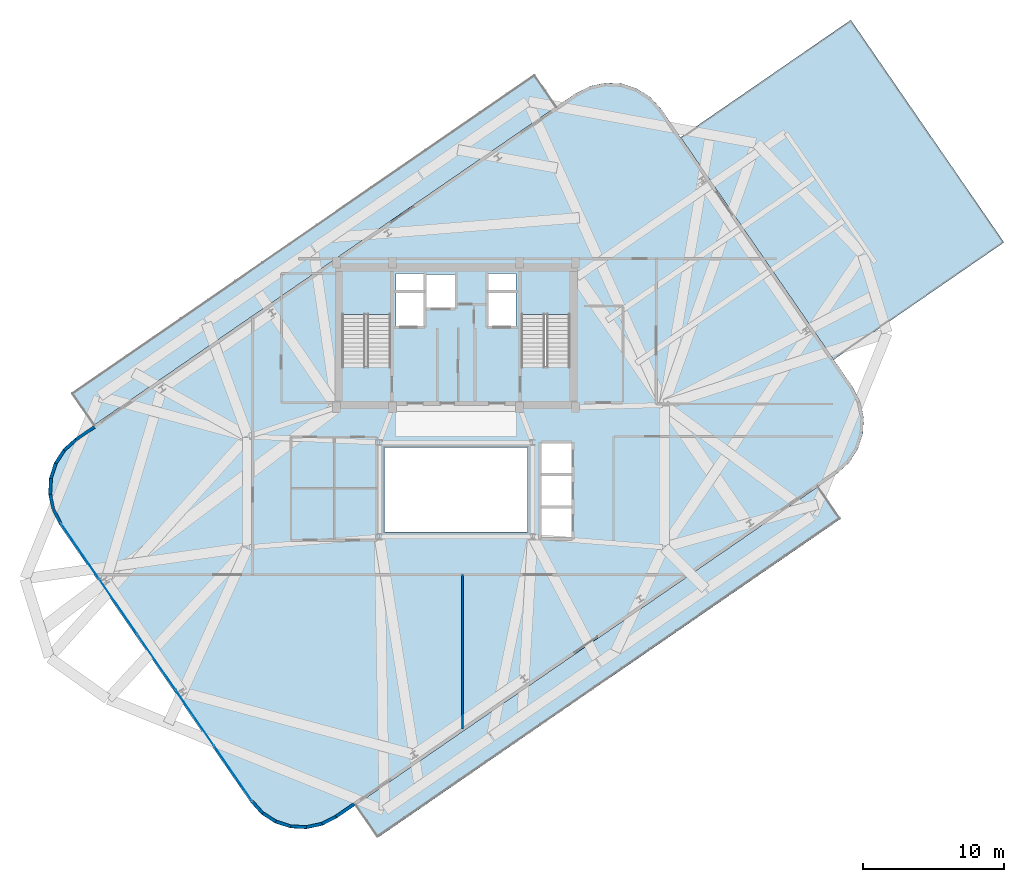
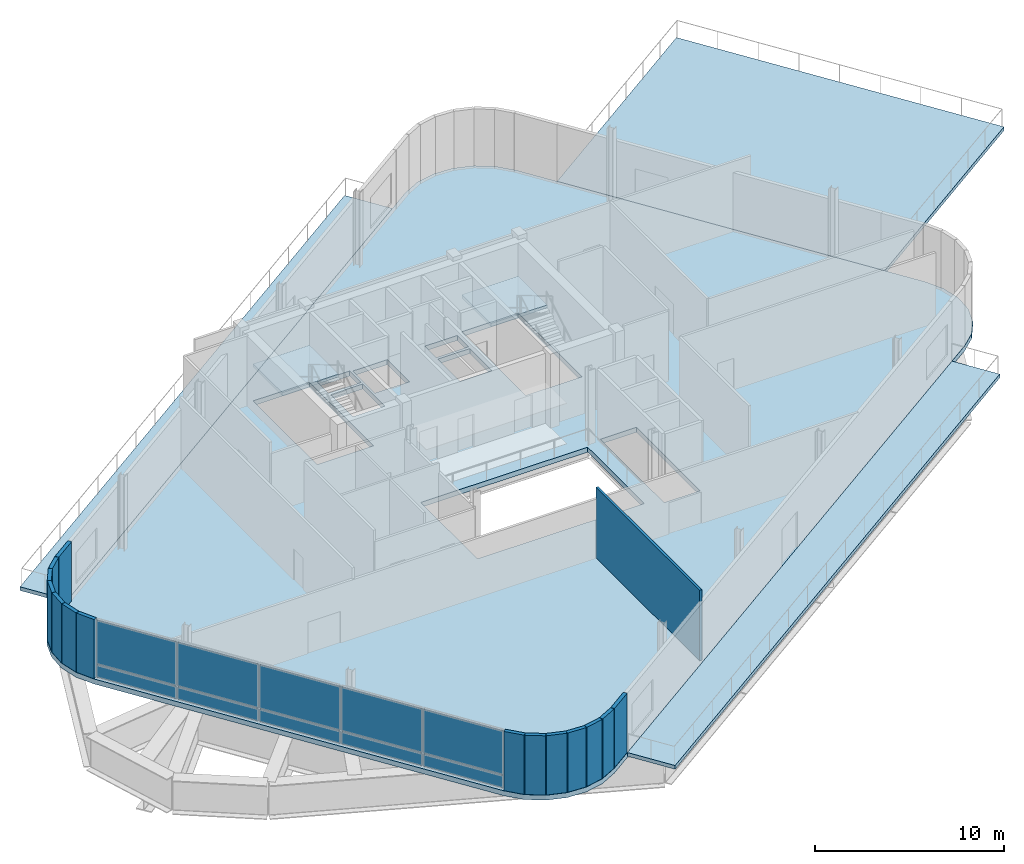
# One storey, part 10 of 18: 15 walls, 10 plates, 6 slabs, 3 elements without a shape of their own.
"""IFC4 building model written with IfcOpenShell, lengths in metres."""

from ifc_helpers import new_model, si_unit, direction, frame, frame_2d, origin, origin_2d, place, context, subcontext, project, spatial, polyline, rectangle, outline, extrude, source, transform, mapped, material, layer, layer_set, type_object, element, aggregate, save


model = new_model("IFC4")

# Units and contexts
model_context = context("Model", 3, precision=1e-05, world=origin(), true_north=direction((0.0, 1.0)))
body_context = subcontext(model_context, "Body", "Model", "MODEL_VIEW")
ifc_project = project(units=[si_unit("LENGTHUNIT", "METRE"), si_unit("AREAUNIT", "SQUARE_METRE"), si_unit("VOLUMEUNIT", "CUBIC_METRE"), si_unit("PLANEANGLEUNIT", "RADIAN"), si_unit("MASSUNIT", "GRAM", prefix="KILO")], contexts=[model_context])

# Site, building, storey
site_placement = place(None, origin())
site = spatial("IfcSite", under=ifc_project, at=site_placement, CompositionType="ELEMENT")
building_placement = place(site_placement, origin())
building = spatial("IfcBuilding", under=site, at=building_placement, Name="Varnelok Gate Tower", CompositionType="ELEMENT")
storey_placement = place(building_placement, frame((0.0, 0.0, 296.300048828125)))
storey = spatial("IfcBuildingStorey", under=building, at=storey_placement, Name="L76", CompositionType="ELEMENT", Elevation=296.300048828125)

# Stair, slab
ifc_material_1 = material(Name="Concrete C50/60", Category="concrete")
stair_type = type_object("IfcStairType", Name="STR-CORE-1650", PredefinedType="HALF_TURN_STAIR", material=ifc_material_1)
stair_1_placement = place(storey_placement, origin())
stair_1 = element("IfcStair", 1, at=stair_1_placement, inside=storey, type_object=stair_type, Name="L76 Exit Stair ST-1", PredefinedType="HALF_TURN_STAIR")
ifc_material_2 = material(Name="Concrete C45/55", Category="concrete")
ifc_layer_1 = layer(ifc_material_2, 0.199951171875)
ifc_layer_set_1 = layer_set([ifc_layer_1], Name="Concrete C45/55")
slab_type_1 = type_object("IfcSlabType", Name="SLB-LAND-200", PredefinedType="LANDING", material=ifc_layer_set_1)
slab_1_placement = place(storey_placement, frame((0.0, 0.0, 2.199951171875)))
slab_1 = element("IfcSlab", 2, at=slab_1_placement, type_object=slab_type_1, Name="ST-1 landing 1", PredefinedType="LANDING", context=body_context, shape_type="SweptSolid", body=[
    extrude(outline(polyline([(34.550048828125, 35.3701171875), (34.550048828125, 38.449951171875), (31.10009765625, 38.449951171875), (31.10009765625, 35.3701171875), (34.550048828125, 35.3701171875)])), origin(), (0.0, 0.0, 1.0), 0.199951171875),
])
aggregate(stair_1, [slab_1])

stair_2_placement = place(storey_placement, origin())
stair_2 = element("IfcStair", 3, at=stair_2_placement, inside=storey, type_object=stair_type, Name="L76 Exit Stair ST-2", PredefinedType="HALF_TURN_STAIR")
slab_2_placement = place(storey_placement, frame((0.0, 0.0, 2.199951171875)))
slab_2 = element("IfcSlab", 4, at=slab_2_placement, type_object=slab_type_1, Name="ST-2 landing 1", PredefinedType="LANDING", context=body_context, shape_type="SweptSolid", body=[
    extrude(outline(polyline([(47.300048828125, 35.3701171875), (47.300048828125, 38.449951171875), (43.85009765625, 38.449951171875), (43.85009765625, 35.3701171875), (47.300048828125, 35.3701171875)])), origin(), (0.0, 0.0, 1.0), 0.199951171875),
])
aggregate(stair_2, [slab_2])

# Slabs
ifc_layer_2 = layer(ifc_material_1, 0.239990234375)
ifc_layer_set_2 = layer_set([ifc_layer_2], Name="Concrete C50/60")
slab_type_2 = type_object("IfcSlabType", Name="SLB-LOOK-240", PredefinedType="FLOOR", material=ifc_layer_set_2)
slab_3_placement = place(storey_placement, frame((0.0, 0.0, -0.239990234375)))
element("IfcSlab", 5, at=slab_3_placement, inside=storey, type_object=slab_type_2, Name="L76 South Open Observation Lookout Terrace", PredefinedType="FLOOR", context=body_context, shape_type="SweptSolid", body=[
    extrude(outline(polyline([(33.620849609375, -1.857177734375), (66.562255859375, 20.83349609375), (64.973876953125, 23.139404296875), (32.03271484375, 0.44873046875), (33.620849609375, -1.857177734375)])), origin(), (0.0, 0.0, 1.0), 0.239990234375),
])
slab_4_placement = place(storey_placement, frame((0.0, 0.0, -0.239990234375)))
element("IfcSlab", 6, at=slab_4_placement, inside=storey, type_object=slab_type_2, Name="L76 North Open Observation Lookout Terrace", PredefinedType="FLOOR", context=body_context, shape_type="SweptSolid", body=[
    extrude(outline(polyline([(13.426025390625, 27.460693359375), (46.367431640625, 50.1513671875), (44.779052734375, 52.457275390625), (11.837890625, 29.766357421875), (13.426025390625, 27.460693359375)])), origin(), (0.0, 0.0, 1.0), 0.239990234375),
])
slab_5_placement = place(storey_placement, frame((0.0, 0.0, -0.239990234375)))
element("IfcSlab", 7, at=slab_5_placement, inside=storey, type_object=slab_type_2, Name="L76 East Open Observation Lookout Terrace", PredefinedType="FLOOR", context=body_context, shape_type="SweptSolid", body=[
    extrude(outline(polyline([(66.0576171875, 32.14306640625), (78.16357421875, 40.48193359375), (67.27197265625, 56.293701171875), (55.166015625, 47.954833984375), (66.0576171875, 32.14306640625)])), origin(), (0.0, 0.0, 1.0), 0.239990234375),
])
ifc_material_3 = material(Name="Concrete C60/75", Category="concrete")
ifc_layer_3 = layer(ifc_material_3, 0.320068359375)
ifc_layer_set_3 = layer_set([ifc_layer_3], Name="Concrete C60/75")
slab_type_3 = type_object("IfcSlabType", Name="SLB-TRN-320", PredefinedType="FLOOR", material=ifc_layer_set_3)
slab_6_placement = place(storey_placement, frame((0.0, 0.0, -0.320068359375)))
element("IfcSlab", 8, at=slab_6_placement, inside=storey, type_object=slab_type_3, Name="L76 Structural Floor Slab", PredefinedType="FLOOR", context=body_context, shape_type="SweptSolid", body=[
    extrude(outline(polyline([(24.595458984375, 0.668701171875), (25.36474609375, -0.18408203125), (26.328857421875, -0.808837890625), (27.421630859375, -1.16259765625), (28.568603515625, -1.221435546875), (29.69189453125, -0.9814453125), (30.71484375, -0.458984375), (66.29150390625, 24.047119140625), (67.144287109375, 24.81640625), (67.768798828125, 25.780517578125), (68.122802734375, 26.873291015625), (68.181640625, 28.0205078125), (67.941650390625, 29.143798828125), (67.419189453125, 30.16650390625), (53.8046875, 49.931396484375), (53.03515625, 50.7841796875), (52.0712890625, 51.40869140625), (50.978515625, 51.7626953125), (49.831298828125, 51.821533203125), (48.7080078125, 51.58154296875), (47.68505859375, 51.058837890625), (12.1083984375, 26.552978515625), (11.255615234375, 25.783447265625), (10.631103515625, 24.819580078125), (10.27734375, 23.726806640625), (10.218505859375, 22.57958984375), (10.45849609375, 21.456298828125), (10.98095703125, 20.433349609375), (24.595458984375, 0.668701171875)]), holes=[polyline([(34.550048828125, 31.679931640625), (34.550048828125, 38.449951171875), (31.10009765625, 38.449951171875), (31.10009765625, 31.679931640625), (34.550048828125, 31.679931640625)]), polyline([(47.300048828125, 31.679931640625), (47.300048828125, 38.449951171875), (43.85009765625, 38.449951171875), (43.85009765625, 31.679931640625), (47.300048828125, 31.679931640625)]), polyline([(34.949951171875, 34.550048828125), (36.89990234375, 34.550048828125), (36.89990234375, 36.89990234375), (34.949951171875, 36.89990234375), (34.949951171875, 34.550048828125)]), polyline([(41.5, 34.550048828125), (43.449951171875, 34.550048828125), (43.449951171875, 36.89990234375), (41.5, 36.89990234375), (41.5, 34.550048828125)]), polyline([(37.050048828125, 35.85009765625), (39.14990234375, 35.85009765625), (39.14990234375, 38.199951171875), (37.050048828125, 38.199951171875), (37.050048828125, 35.85009765625)]), polyline([(45.25, 19.449951171875), (47.449951171875, 19.449951171875), (47.449951171875, 26.199951171875), (45.25, 26.199951171875), (45.25, 19.449951171875)]), polyline([(34.919921875, 37.080078125), (36.89990234375, 37.080078125), (36.89990234375, 38.280029296875), (34.919921875, 38.280029296875), (34.919921875, 37.080078125)]), polyline([(41.5, 37.080078125), (43.47998046875, 37.080078125), (43.47998046875, 38.280029296875), (41.5, 38.280029296875), (41.5, 37.080078125)]), polyline([(34.10009765625, 19.89990234375), (44.300048828125, 19.89990234375), (44.300048828125, 25.89990234375), (34.10009765625, 25.89990234375), (34.10009765625, 19.89990234375)])]), origin(), (0.0, 0.0, 1.0), 0.320068359375),
])

# Curtain wall, plates
ifc_material_4 = material(Name="Anodized Aluminum Alloy 6063-T6", Category="aluminium")
ifc_layer_4 = layer(ifc_material_4, 0.179931640625)
ifc_layer_set_4 = layer_set([ifc_layer_4], Name="Anodized Aluminum Alloy 6063-T6")
curtain_wall_type = type_object("IfcCurtainWallType", Name="CW6-CROWN-LOOKOUT", PredefinedType="USERDEFINED", material=ifc_layer_set_4)
curtain_wall_placement = place(storey_placement, origin())
curtain_wall = element("IfcCurtainWall", 9, at=curtain_wall_placement, inside=storey, type_object=curtain_wall_type, Name="L76 West End Vision Curtain Wall", ObjectType="STRUCTURAL GLAZING", PredefinedType="USERDEFINED")
ifc_material_5 = material(Name="Low-E Laminated Double Glazing IGU", Category="glass")
ifc_layer_5 = layer(ifc_material_5, 0.035888671875)
ifc_layer_set_5 = layer_set([ifc_layer_5], Name="Low-E Laminated Double Glazing IGU")
plate_type = type_object("IfcPlateType", Name="CW-PNL-IGU36", PredefinedType="CURTAIN_PANEL", material=ifc_layer_set_5)
shared_shape_1 = source(origin(), body_context, "Body", "SweptSolid", [
    extrude(rectangle(XDim=4.6875, YDim=0.035888671875, at=origin_2d()), origin(), (0.0, 0.0, 1.0), 0.78759765625),
])
plate_1_placement = place(storey_placement, frame((23.338623046875, 2.739990234375, 0.074951171875), z_axis=(0.0, 0.0, 1.0), x_axis=(-0.567269883308, 0.823531954141, 0.0)))
plate_1 = element("IfcPlate", 10, at=plate_1_placement, type_object=plate_type, Name="CW6 panel 1.1", PredefinedType="CURTAIN_PANEL", context=body_context, shape_type="MappedRepresentation", body=[
    mapped(shared_shape_1, transform((0.0, 0.0, 0.0), scale=1.0)),
])
plate_2_placement = place(storey_placement, frame((12.46826171875, 18.52099609375, 0.074951171875), z_axis=(0.0, 0.0, 1.0), x_axis=(-0.567269883308, 0.823531954141, 0.0)))
plate_2 = element("IfcPlate", 11, at=plate_2_placement, type_object=plate_type, Name="CW6 panel 5.1", PredefinedType="CURTAIN_PANEL", context=body_context, shape_type="MappedRepresentation", body=[
    mapped(shared_shape_1, transform((0.0, 0.0, 0.0), scale=1.0)),
])
shared_shape_2 = source(origin(), body_context, "Body", "SweptSolid", [
    extrude(rectangle(XDim=4.6875, YDim=0.035888671875, at=origin_2d()), origin(), (0.0, 0.0, 1.0), 2.8173828125),
])
plate_3_placement = place(storey_placement, frame((23.338623046875, 2.739990234375, 0.9375), z_axis=(0.0, 0.0, 1.0), x_axis=(-0.567269883308, 0.823531954141, 0.0)))
plate_3 = element("IfcPlate", 12, at=plate_3_placement, type_object=plate_type, Name="CW6 panel 1.2", PredefinedType="CURTAIN_PANEL", context=body_context, shape_type="MappedRepresentation", body=[
    mapped(shared_shape_2, transform((0.0, 0.0, 0.0), scale=1.0)),
])
plate_4_placement = place(storey_placement, frame((12.46826171875, 18.52099609375, 0.9375), z_axis=(0.0, 0.0, 1.0), x_axis=(-0.567269883308, 0.823531954141, 0.0)))
plate_4 = element("IfcPlate", 13, at=plate_4_placement, type_object=plate_type, Name="CW6 panel 5.2", PredefinedType="CURTAIN_PANEL", context=body_context, shape_type="MappedRepresentation", body=[
    mapped(shared_shape_2, transform((0.0, 0.0, 0.0), scale=1.0)),
])
shared_shape_3 = source(origin(), body_context, "Body", "SweptSolid", [
    extrude(rectangle(XDim=4.72509765625, YDim=0.035888671875, at=origin_2d()), origin(), (0.0, 0.0, 1.0), 0.78759765625),
])
plate_5_placement = place(storey_placement, frame((20.62646484375, 6.677490234375, 0.074951171875), z_axis=(0.0, 0.0, 1.0), x_axis=(-0.567269883308, 0.823531954141, 0.0)))
plate_5 = element("IfcPlate", 14, at=plate_5_placement, type_object=plate_type, Name="CW6 panel 2.1", PredefinedType="CURTAIN_PANEL", context=body_context, shape_type="MappedRepresentation", body=[
    mapped(shared_shape_3, transform((0.0, 0.0, 0.0), scale=1.0)),
])
plate_6_placement = place(storey_placement, frame((17.903564453125, 10.63037109375, 0.074951171875), z_axis=(0.0, 0.0, 1.0), x_axis=(-0.567269883308, 0.823531954141, 0.0)))
plate_6 = element("IfcPlate", 15, at=plate_6_placement, type_object=plate_type, Name="CW6 panel 3.1", PredefinedType="CURTAIN_PANEL", context=body_context, shape_type="MappedRepresentation", body=[
    mapped(shared_shape_3, transform((0.0, 0.0, 0.0), scale=1.0)),
])
plate_7_placement = place(storey_placement, frame((15.1806640625, 14.583251953125, 0.074951171875), z_axis=(0.0, 0.0, 1.0), x_axis=(-0.567269883308, 0.823531954141, 0.0)))
plate_7 = element("IfcPlate", 16, at=plate_7_placement, type_object=plate_type, Name="CW6 panel 4.1", PredefinedType="CURTAIN_PANEL", context=body_context, shape_type="MappedRepresentation", body=[
    mapped(shared_shape_3, transform((0.0, 0.0, 0.0), scale=1.0)),
])
shared_shape_4 = source(origin(), body_context, "Body", "SweptSolid", [
    extrude(rectangle(XDim=4.72509765625, YDim=0.035888671875, at=origin_2d()), origin(), (0.0, 0.0, 1.0), 2.8173828125),
])
plate_8_placement = place(storey_placement, frame((20.62646484375, 6.677490234375, 0.9375), z_axis=(0.0, 0.0, 1.0), x_axis=(-0.567269883308, 0.823531954141, 0.0)))
plate_8 = element("IfcPlate", 17, at=plate_8_placement, type_object=plate_type, Name="CW6 panel 2.2", PredefinedType="CURTAIN_PANEL", context=body_context, shape_type="MappedRepresentation", body=[
    mapped(shared_shape_4, transform((0.0, 0.0, 0.0), scale=1.0)),
])
plate_9_placement = place(storey_placement, frame((17.903564453125, 10.63037109375, 0.9375), z_axis=(0.0, 0.0, 1.0), x_axis=(-0.567269883308, 0.823531954141, 0.0)))
plate_9 = element("IfcPlate", 18, at=plate_9_placement, type_object=plate_type, Name="CW6 panel 3.2", PredefinedType="CURTAIN_PANEL", context=body_context, shape_type="MappedRepresentation", body=[
    mapped(shared_shape_4, transform((0.0, 0.0, 0.0), scale=1.0)),
])
plate_10_placement = place(storey_placement, frame((15.1806640625, 14.583251953125, 0.9375), z_axis=(0.0, 0.0, 1.0), x_axis=(-0.567269883308, 0.823531954141, 0.0)))
plate_10 = element("IfcPlate", 19, at=plate_10_placement, type_object=plate_type, Name="CW6 panel 4.2", PredefinedType="CURTAIN_PANEL", context=body_context, shape_type="MappedRepresentation", body=[
    mapped(shared_shape_4, transform((0.0, 0.0, 0.0), scale=1.0)),
])
aggregate(curtain_wall, [plate_1, plate_3, plate_5, plate_8, plate_6, plate_9, plate_7, plate_10, plate_2, plate_4])

# Walls
ifc_layer_6 = layer(ifc_material_2, 0.219970703125)
ifc_layer_set_6 = layer_set([ifc_layer_6], Name="Concrete C45/55")
wall_type_1 = type_object("IfcWallType", Name="EW-BALC-220", PredefinedType="SOLIDWALL", material=ifc_layer_set_6)
wall_1_placement = place(storey_placement, frame((24.695068359375, 0.7373046875, 0.0), z_axis=(0.0, 0.0, 1.0), x_axis=(0.66989400442, -0.742456748129, 0.0)))
element("IfcWall", 20, at=wall_1_placement, inside=storey, type_object=wall_type_1, Name="L76 Perimeter Facade Closure Wall 1", PredefinedType="SOLIDWALL", context=body_context, shape_type="SweptSolid", body=[
    extrude(rectangle(XDim=1.116943359375, YDim=0.219970703125, at=frame_2d((0.55859375, 0.0))), origin(), (0.0, 0.0, 1.0), 3.829833984375),
])
wall_2_placement = place(storey_placement, frame((25.46435546875, -0.105712890625, 0.0), z_axis=(0.0, 0.0, 1.0), x_axis=(0.839270122405, -0.543714687717, 0.0)))
element("IfcWall", 21, at=wall_2_placement, inside=storey, type_object=wall_type_1, Name="L76 Perimeter Facade Closure Wall 2", PredefinedType="SOLIDWALL", context=body_context, shape_type="SweptSolid", body=[
    extrude(rectangle(XDim=1.092041015625, YDim=0.219970703125, at=frame_2d((0.5458984375, 0.0))), origin(), (0.0, 0.0, 1.0), 3.829833984375),
])
wall_3_placement = place(storey_placement, frame((26.404541015625, -0.707275390625, 0.0), z_axis=(0.0, 0.0, 1.0), x_axis=(0.951375175079, -0.30803453742, 0.0)))
element("IfcWall", 22, at=wall_3_placement, inside=storey, type_object=wall_type_1, Name="L76 Perimeter Facade Closure Wall 3", PredefinedType="SOLIDWALL", context=body_context, shape_type="SweptSolid", body=[
    extrude(rectangle(XDim=1.09228515625, YDim=0.219970703125, at=frame_2d((0.546142578125, 0.0))), origin(), (0.0, 0.0, 1.0), 3.829833984375),
])
wall_4_placement = place(storey_placement, frame((27.468505859375, -1.044921875, 0.0), z_axis=(0.0, 0.0, 1.0), x_axis=(0.99868854295, -0.051197599359, 0.0)))
element("IfcWall", 23, at=wall_4_placement, inside=storey, type_object=wall_type_1, Name="L76 Perimeter Facade Closure Wall 4", PredefinedType="SOLIDWALL", context=body_context, shape_type="SweptSolid", body=[
    extrude(rectangle(XDim=1.092041015625, YDim=0.219970703125, at=frame_2d((0.5458984375, 0.0))), origin(), (0.0, 0.0, 1.0), 3.829833984375),
])
wall_5_placement = place(storey_placement, frame((28.58349609375, -1.095703125, 0.0), z_axis=(0.0, 0.0, 1.0), x_axis=(0.977916755927, 0.208994780981, 0.0)))
element("IfcWall", 24, at=wall_5_placement, inside=storey, type_object=wall_type_1, Name="L76 Perimeter Facade Closure Wall 5", PredefinedType="SOLIDWALL", context=body_context, shape_type="SweptSolid", body=[
    extrude(rectangle(XDim=1.09228515625, YDim=0.219970703125, at=frame_2d((0.546142578125, 0.0))), origin(), (0.0, 0.0, 1.0), 3.829833984375),
])
wall_6_placement = place(storey_placement, frame((29.673583984375, -0.856201171875, 0.0), z_axis=(0.0, 0.0, 1.0), x_axis=(0.890532584352, 0.454919461231, 0.0)))
element("IfcWall", 25, at=wall_6_placement, inside=storey, type_object=wall_type_1, Name="L76 Perimeter Facade Closure Wall 6", PredefinedType="SOLIDWALL", context=body_context, shape_type="SweptSolid", body=[
    extrude(rectangle(XDim=1.10009765625, YDim=0.219970703125, at=frame_2d((0.550048828125, 0.0))), origin(), (0.0, 0.0, 1.0), 3.829833984375),
])
wall_7_placement = place(storey_placement, frame((30.673828125, -0.34130859375, 0.0), z_axis=(0.0, 0.0, 1.0), x_axis=(0.823591688454, 0.567183154466, 0.0)))
element("IfcWall", 26, at=wall_7_placement, inside=storey, type_object=wall_type_1, Name="L76 Perimeter Facade Closure Wall 7", PredefinedType="SOLIDWALL", context=body_context, shape_type="SweptSolid", body=[
    extrude(rectangle(XDim=1.567138671875, YDim=0.219970703125, at=frame_2d((0.78369140625, 0.0))), origin(), (0.0, 0.0, 1.0), 3.829833984375),
])
wall_8_placement = place(storey_placement, frame((13.494140625, 27.36181640625, 0.0), z_axis=(0.0, 0.0, 1.0), x_axis=(-0.823459838426, -0.567374562789, 0.0)))
element("IfcWall", 27, at=wall_8_placement, inside=storey, type_object=wall_type_1, Name="L76 Perimeter Facade Closure Wall 24", PredefinedType="SOLIDWALL", context=body_context, shape_type="SweptSolid", body=[
    extrude(rectangle(XDim=1.592041015625, YDim=0.219970703125, at=frame_2d((0.7958984375, 0.0))), origin(), (0.0, 0.0, 1.0), 3.829833984375),
])
wall_9_placement = place(storey_placement, frame((12.16455078125, 26.44189453125, 0.0), z_axis=(0.0, 0.0, 1.0), x_axis=(-0.742465815116, -0.669883955163, 0.0)))
element("IfcWall", 28, at=wall_9_placement, inside=storey, type_object=wall_type_1, Name="L76 Perimeter Facade Closure Wall 25", PredefinedType="SOLIDWALL", context=body_context, shape_type="SweptSolid", body=[
    extrude(rectangle(XDim=1.099853515625, YDim=0.219970703125, at=frame_2d((0.5498046875, 0.0))), origin(), (0.0, 0.0, 1.0), 3.829833984375),
])
for number, where, z_axis, x_axis, name in (
    (29, (11.334228515625, 25.68408203125, 0.0), (0.0, 0.0, 1.0), (-0.543714687717, -0.839270122405, 0.0), "L76 Perimeter Facade Closure Wall 26"),
    (30, (10.732666015625, 24.74365234375, 0.0), (0.0, 0.0, 1.0), (-0.308100059692, -0.951353957903, 0.0), "L76 Perimeter Facade Closure Wall 27"),
    (31, (10.39501953125, 23.6796875, 0.0), (0.0, 0.0, 1.0), (-0.051197599359, -0.99868854295, 0.0), "L76 Perimeter Facade Closure Wall 28"),
    (32, (10.34423828125, 22.564697265625, 0.0), (0.0, 0.0, 1.0), (0.209040474429, -0.977906989468, 0.0), "L76 Perimeter Facade Closure Wall 29"),
):
    element("IfcWall", number, at=place(storey_placement, frame(where, z_axis=z_axis, x_axis=x_axis)), inside=storey, type_object=wall_type_1, Name=name, PredefinedType="SOLIDWALL", context=body_context, shape_type="SweptSolid", body=[
        extrude(rectangle(XDim=1.092041015625, YDim=0.219970703125, at=frame_2d((0.5458984375, 0.0))), origin(), (0.0, 0.0, 1.0), 3.829833984375),
    ])
wall_10_placement = place(storey_placement, frame((10.583740234375, 21.474609375, 0.0), z_axis=(0.0, 0.0, 1.0), x_axis=(0.454886551107, -0.890549395386, 0.0)))
element("IfcWall", 33, at=wall_10_placement, inside=storey, type_object=wall_type_1, Name="L76 Perimeter Facade Closure Wall 30", PredefinedType="SOLIDWALL", context=body_context, shape_type="SweptSolid", body=[
    extrude(rectangle(XDim=1.09228515625, YDim=0.219970703125, at=frame_2d((0.546142578125, 0.0))), origin(), (0.0, 0.0, 1.0), 3.829833984375),
])
ifc_material_6 = material(Name="Gypsum Plasterboard Acoustic Partition", Category="gypsum")
ifc_layer_7 = layer(ifc_material_6, 0.14990234375)
ifc_layer_set_7 = layer_set([ifc_layer_7], Name="Gypsum Plasterboard Acoustic Partition")
wall_type_2 = type_object("IfcWallType", Name="PW-PART-150", PredefinedType="PARTITIONING", material=ifc_layer_set_7)
wall_11_placement = place(storey_placement, frame((39.64990234375, 5.86572265625, 0.0), z_axis=(0.0, 0.0, 1.0), x_axis=(0.0, 1.0, 0.0)))
element("IfcWall", 34, at=wall_11_placement, inside=storey, type_object=wall_type_2, Name="Interior Partition", PredefinedType="PARTITIONING", context=body_context, shape_type="SweptSolid", body=[
    extrude(rectangle(XDim=10.984375, YDim=0.14990234375, at=frame_2d((5.4921875, 0.0))), origin(), (0.0, 0.0, 1.0), 4.550048828125),
])

save(model, "model.ifc")
